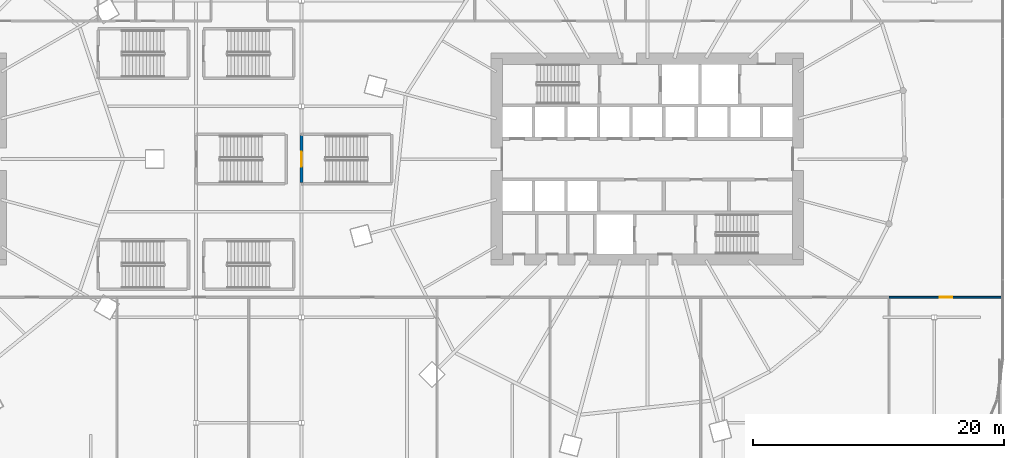
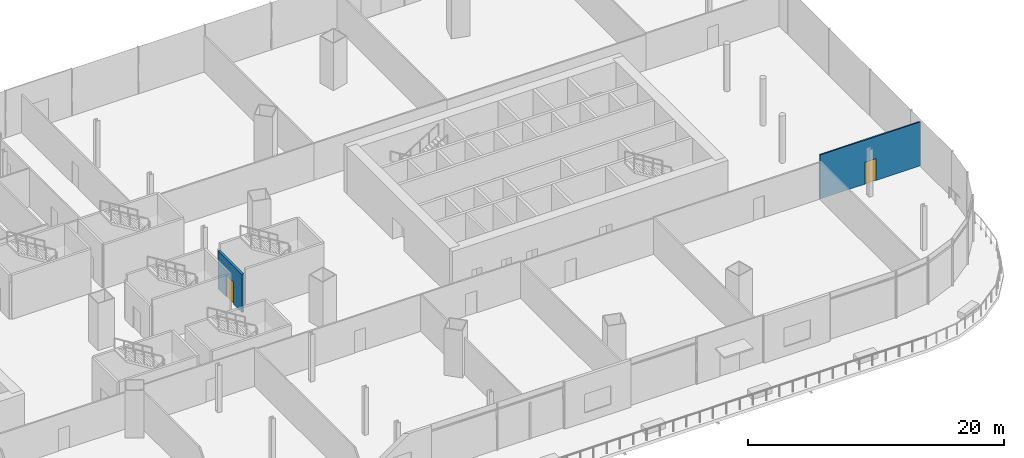
# One storey, part 39 of 52: 2 doors, 2 walls, 2 openings.
"""IFC4 building model written with IfcOpenShell, lengths in metres."""

from ifc_helpers import new_model, si_unit, direction, frame, frame_2d, origin, place, context, subcontext, project, spatial, rectangle, extrude, material, layer, layer_set, type_object, element, fill, save


model = new_model("IFC4")

# Units and contexts
model_context = context("Model", 3, precision=1e-05, world=origin(), true_north=direction((0.0, 1.0)))
body_context = subcontext(model_context, "Body", "Model", "MODEL_VIEW")
ifc_project = project(units=[si_unit("LENGTHUNIT", "METRE"), si_unit("AREAUNIT", "SQUARE_METRE"), si_unit("VOLUMEUNIT", "CUBIC_METRE"), si_unit("PLANEANGLEUNIT", "RADIAN"), si_unit("MASSUNIT", "GRAM", prefix="KILO")], contexts=[model_context])

# Site, building, storey
site_placement = place(None, origin())
site = spatial("IfcSite", under=ifc_project, at=site_placement, CompositionType="ELEMENT")
building_placement = place(site_placement, origin())
building = spatial("IfcBuilding", under=site, at=building_placement, Name="Rimbun Link Towers", CompositionType="ELEMENT")
storey_placement = place(building_placement, frame((0.0, 0.0, 21.0)))
storey = spatial("IfcBuildingStorey", under=building, at=storey_placement, Name="L04", CompositionType="ELEMENT", Elevation=21.0)

# Wall, opening, door
ifc_material_1 = material(Name="Gypsum board on steel studs", Category="steel")
ifc_layer_1 = layer(ifc_material_1, 0.125)
ifc_layer_set_1 = layer_set([ifc_layer_1], Name="Partition 125 board on studs")
wall_type_1 = type_object("IfcWallType", Name="Partition 125 board on studs", PredefinedType="PARTITIONING", material=ifc_layer_set_1)
wall_1_placement = place(storey_placement, frame((51.0, -11.0, 0.0), z_axis=(0.0, 0.0, 1.0), x_axis=(1.0, 0.0, 0.0)))
wall_1 = element("IfcWall", 1, at=wall_1_placement, inside=storey, type_object=wall_type_1, Name="PD/PW/L04/034", PredefinedType="PARTITIONING", context=body_context, shape_type="SweptSolid", body=[
    extrude(rectangle(XDim=9.080078125, YDim=0.125, at=frame_2d((4.5400390625, 0.0))), origin(), (0.0, 0.0, 1.0), 4.199951171875),
])
opening_1_placement = place(wall_1_placement, frame((4.0400390625, 0.0, 0.0)))
opening_1 = element("IfcOpeningElement", 2, at=opening_1_placement, cuts=wall_1, Name="Opening PD D04.10", PredefinedType="OPENING", context=body_context, shape_type="SweptSolid", body=[
    extrude(rectangle(XDim=1.0, YDim=2.10009765625, at=frame_2d((0.5, 1.050048828125))), frame((0.0, 0.072509765625, 0.0), z_axis=(0.0, -1.0, 0.0), x_axis=(1.0, 0.0, 0.0)), (0.0, 0.0, 1.0), 0.14501953125),
])
ifc_material_2 = material(Name="Timber door set", Category="wood")
door_type_1 = type_object("IfcDoorType", Name="Door single leaf 1000 x 2100", OperationType="NOTDEFINED", PredefinedType="DOOR", material=ifc_material_2)
door_1_placement = place(opening_1_placement, origin())
door_1 = element("IfcDoor", 3, at=door_1_placement, inside=storey, type_object=door_type_1, Name="PD/DR/L04/010", OperationType="SINGLE_SWING_LEFT", OverallHeight=2.10009765625, OverallWidth=1.0, PredefinedType="DOOR", context=body_context, shape_type="SweptSolid", body=[
    extrude(rectangle(XDim=1.0, YDim=2.10009765625, at=frame_2d((0.5, 1.050048828125))), frame((0.0, 0.02490234375, 0.0), z_axis=(0.0, -1.0, 0.0), x_axis=(1.0, 0.0, 0.0)), (0.0, 0.0, 1.0), 0.050048828125),
])
fill(opening_1, door_1)

ifc_material_3 = material(Name="Concrete C40/50", Category="concrete")
ifc_layer_2 = layer(ifc_material_3, 0.199951171875)
ifc_layer_set_2 = layer_set([ifc_layer_2], Name="Stair shaft wall 200")
wall_type_2 = type_object("IfcWallType", Name="Stair shaft wall 200", PredefinedType="SOLIDWALL", material=ifc_layer_set_2)
wall_2_placement = place(storey_placement, frame((4.199951171875, 1.875, 0.0), z_axis=(0.0, 0.0, 1.0), x_axis=(0.0, -1.0, 0.0)))
wall_2 = element("IfcWall", 4, at=wall_2_placement, inside=storey, type_object=wall_type_2, Name="PD/PW/L04/020", PredefinedType="SOLIDWALL", context=body_context, shape_type="SweptSolid", body=[
    extrude(rectangle(XDim=3.75, YDim=0.199951171875, at=frame_2d((1.875, 0.0))), origin(), (0.0, 0.0, 1.0), 3.64697265625),
])
opening_2_placement = place(wall_2_placement, frame((1.27490234375, 0.0, 0.0)))
opening_2 = element("IfcOpeningElement", 5, at=opening_2_placement, cuts=wall_2, Name="Opening PD DS5", PredefinedType="OPENING", context=body_context, shape_type="SweptSolid", body=[
    extrude(rectangle(XDim=1.199951171875, YDim=2.10009765625, at=frame_2d((0.60009765625, 1.050048828125))), frame((0.0, 0.10986328125, 0.0), z_axis=(0.0, -1.0, 0.0), x_axis=(1.0, 0.0, 0.0)), (0.0, 0.0, 1.0), 0.219970703125),
])
ifc_material_4 = material(Name="Steel fire door set", Category="steel")
door_type_2 = type_object("IfcDoorType", Name="Stair door", OperationType="SINGLE_SWING_LEFT", PredefinedType="DOOR", material=ifc_material_4)
door_2_placement = place(opening_2_placement, frame((1.199951171875, 0.0, 0.0), z_axis=(0.0, 0.0, 1.0), x_axis=(-1.0, 0.0, 0.0)))
door_2 = element("IfcDoor", 6, at=door_2_placement, inside=storey, type_object=door_type_2, Name="PD/DR/L04/S5", OperationType="SINGLE_SWING_LEFT", OverallHeight=2.10009765625, OverallWidth=1.199951171875, PredefinedType="DOOR", context=body_context, shape_type="SweptSolid", body=[
    extrude(rectangle(XDim=1.199951171875, YDim=2.10009765625, at=frame_2d((0.60009765625, 1.050048828125))), frame((0.0, 0.02490234375, 0.0), z_axis=(0.0, -1.0, 0.0), x_axis=(1.0, 0.0, 0.0)), (0.0, 0.0, 1.0), 0.050048828125),
])
fill(opening_2, door_2)

save(model, "model.ifc")
